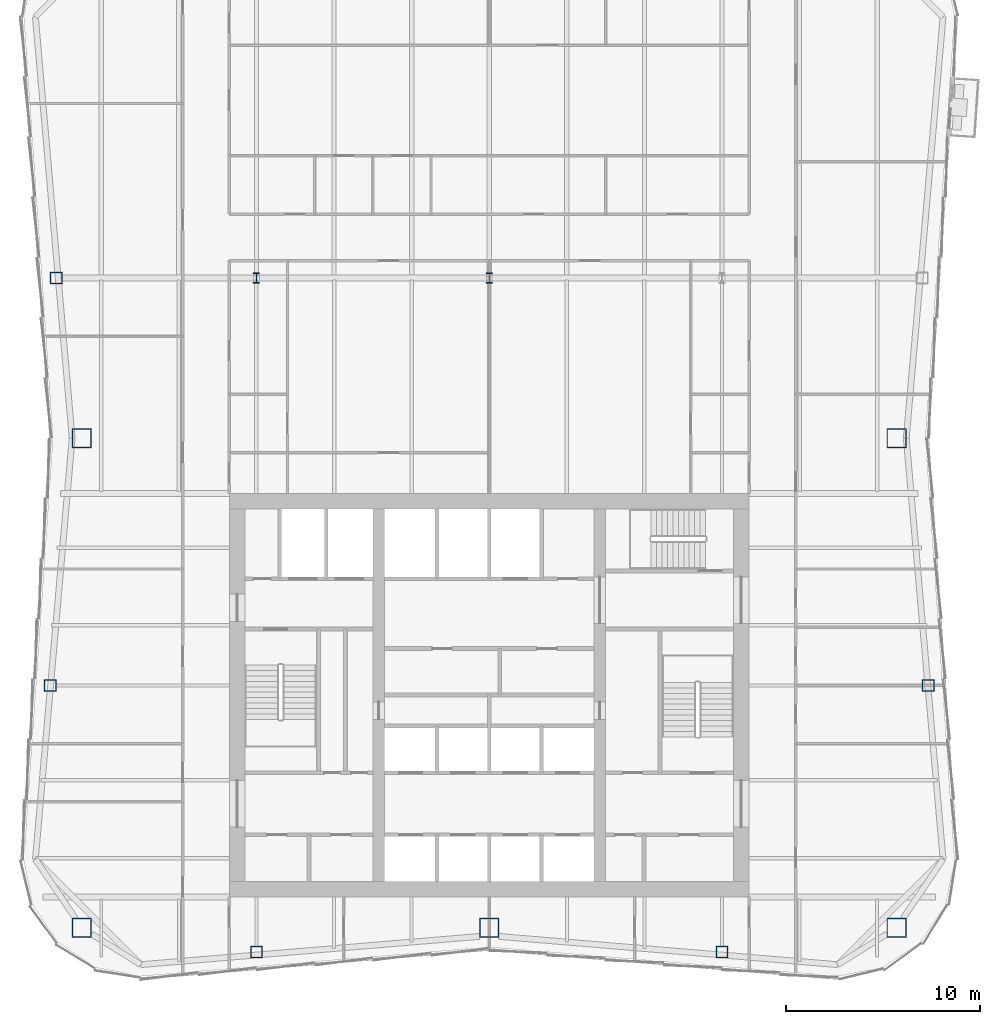
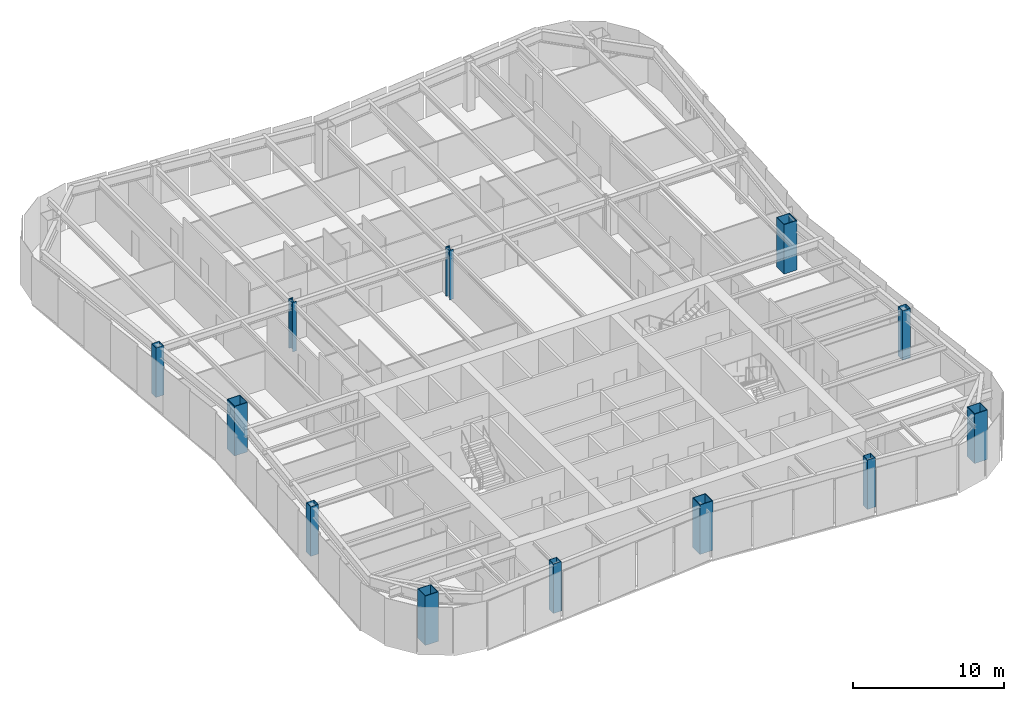
# One storey, part 1 of 12: 12 columns.
"""IFC4 building model written with IfcOpenShell, lengths in metres."""

from ifc_helpers import new_model, si_unit, direction, frame, origin, origin_2d, place, context, subcontext, project, spatial, hollow_rectangle, i_section, extrude, material, material_profile, profile_set, type_object, element, save


model = new_model("IFC4")

# Units and contexts
model_context = context("Model", 3, precision=1e-05, world=origin(), true_north=direction((0.0, 1.0)))
body_context = subcontext(model_context, "Body", "Model", "MODEL_VIEW")
ifc_project = project(units=[si_unit("LENGTHUNIT", "METRE"), si_unit("AREAUNIT", "SQUARE_METRE"), si_unit("VOLUMEUNIT", "CUBIC_METRE"), si_unit("PLANEANGLEUNIT", "RADIAN"), si_unit("MASSUNIT", "GRAM", prefix="KILO")], contexts=[model_context])

# Site, building, storey
site_placement = place(None, origin())
site = spatial("IfcSite", under=ifc_project, at=site_placement, CompositionType="ELEMENT")
building_placement = place(site_placement, origin())
building = spatial("IfcBuilding", under=site, at=building_placement, Name="Verdant Reach Tower", CompositionType="ELEMENT")
storey_placement = place(building_placement, frame((0.0, 0.0, 242.0)))
storey = spatial("IfcBuildingStorey", under=building, at=storey_placement, Name="L55", CompositionType="ELEMENT", Elevation=242.0)

# Columns
ifc_material = material(Name="Steel S460", Category="steel")
ifc_material_profile_1 = material_profile(ifc_material, i_section(OverallWidth=0.305908203125, OverallDepth=0.52392578125, WebThickness=0.012451171875, FlangeThickness=0.0400390625, FilletRadius=0.027099609375, at=origin_2d()), Name="HEM 500")
ifc_profile_set_1 = profile_set([ifc_material_profile_1], Name="Steel S460")
column_type_1 = type_object("IfcColumnType", Name="ST-COL-HEM500", PredefinedType="COLUMN", material=ifc_profile_set_1)
for number, where, z_axis, x_axis, name in (
    (1, (-12.0, 49.5, 0.0), (0.0, 0.0, 1.0), (1.0, 0.0, 0.0), "Interior column 1, L55"),
    (2, (0.0, 49.5, 0.0), (0.0, 0.0, 1.0), (1.0, 0.0, 0.0), "Interior column 2, L55"),
):
    element("IfcColumn", number, at=place(storey_placement, frame(where, z_axis=z_axis, x_axis=x_axis)), inside=storey, type_object=column_type_1, Name=name, PredefinedType="COLUMN", context=body_context, shape_type="SweptSolid", body=[
        extrude(i_section(OverallWidth=0.305908203125, OverallDepth=0.52392578125, WebThickness=0.012451171875, FlangeThickness=0.0400390625, FilletRadius=0.027099609375, at=origin_2d()), origin(), (0.0, 0.0, 1.0), 4.0),
    ])
ifc_material_profile_2 = material_profile(ifc_material, hollow_rectangle(XDim=1.0, YDim=1.0, WallThickness=0.044921875, at=origin_2d()), Name="WB 1000x1000x45")
ifc_profile_set_2 = profile_set([ifc_material_profile_2], Name="Steel S460")
column_type_2 = type_object("IfcColumnType", Name="ST-COL-WB1000x1000x45", PredefinedType="COLUMN", material=ifc_profile_set_2)
for number, where, z_axis, x_axis, name in (
    (3, (21.0, 41.25, 0.0), (0.0, 0.0, 1.0), (1.0, 0.0, 0.0), "Mega column east, L55"),
    (4, (21.0, 16.0, 0.0), (0.0, 0.0, 1.0), (1.0, 0.0, 0.0), "Mega column south-east, L55"),
    (5, (0.0, 16.0, 0.0), (0.0, 0.0, 1.0), (1.0, 0.0, 0.0), "Mega column south, L55"),
    (6, (-21.0, 16.0, 0.0), (0.0, 0.0, 1.0), (1.0, 0.0, 0.0), "Mega column south-west, L55"),
    (7, (-21.0, 41.25, 0.0), (0.0, 0.0, 1.0), (1.0, 0.0, 0.0), "Mega column west, L55"),
):
    element("IfcColumn", number, at=place(storey_placement, frame(where, z_axis=z_axis, x_axis=x_axis)), inside=storey, type_object=column_type_2, Name=name, PredefinedType="COLUMN", context=body_context, shape_type="SweptSolid", body=[
        extrude(hollow_rectangle(XDim=1.0, YDim=1.0, WallThickness=0.044921875, at=origin_2d()), origin(), (0.0, 0.0, 1.0), 4.0),
    ])
ifc_material_profile_3 = material_profile(ifc_material, hollow_rectangle(XDim=0.60009765625, YDim=0.60009765625, WallThickness=0.02490234375, at=origin_2d()), Name="WB 600x600x25")
ifc_profile_set_3 = profile_set([ifc_material_profile_3], Name="Steel S460")
column_type_3 = type_object("IfcColumnType", Name="ST-COL-WB600x600x25", PredefinedType="COLUMN", material=ifc_profile_set_3)
for number, where, z_axis, x_axis, name in (
    (8, (-12.0, 14.75, 0.0), (0.0, 0.0, 1.0), (1.0, 0.0, 0.0), "Perimeter column south 1, L55"),
    (9, (12.0, 14.75, 0.0), (0.0, 0.0, 1.0), (1.0, 0.0, 0.0), "Perimeter column south 2, L55"),
    (10, (22.62939453125, 28.5, 0.0), (0.0, 0.0, 1.0), (1.0, 0.0, 0.0), "Perimeter column east 1, L55"),
    (11, (-22.62939453125, 28.5, 0.0), (0.0, 0.0, 1.0), (1.0, 0.0, 0.0), "Perimeter column west 1, L55"),
    (12, (-22.319091796875, 49.5, 0.0), (0.0, 0.0, 1.0), (1.0, 0.0, 0.0), "Perimeter column west 2, L55"),
):
    element("IfcColumn", number, at=place(storey_placement, frame(where, z_axis=z_axis, x_axis=x_axis)), inside=storey, type_object=column_type_3, Name=name, PredefinedType="COLUMN", context=body_context, shape_type="SweptSolid", body=[
        extrude(hollow_rectangle(XDim=0.60009765625, YDim=0.60009765625, WallThickness=0.02490234375, at=origin_2d()), origin(), (0.0, 0.0, 1.0), 4.0),
    ])

save(model, "model.ifc")
